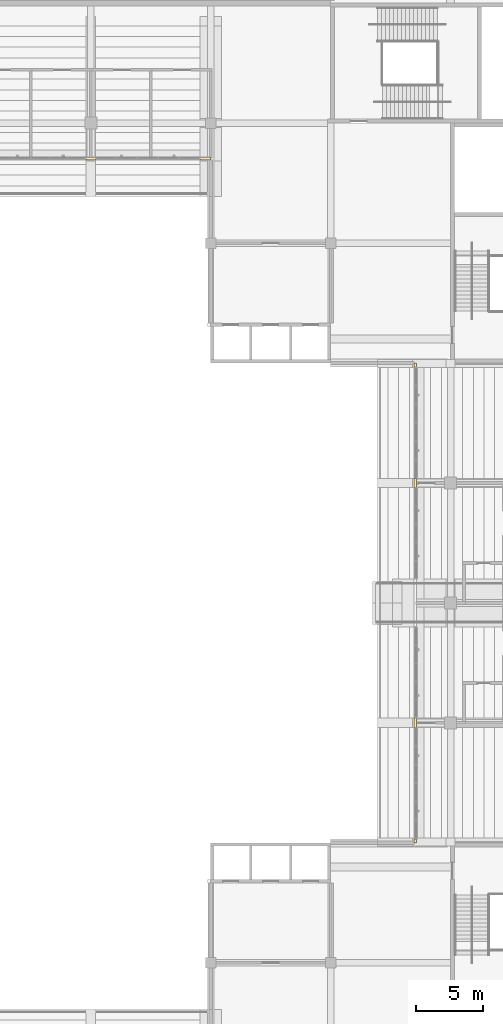
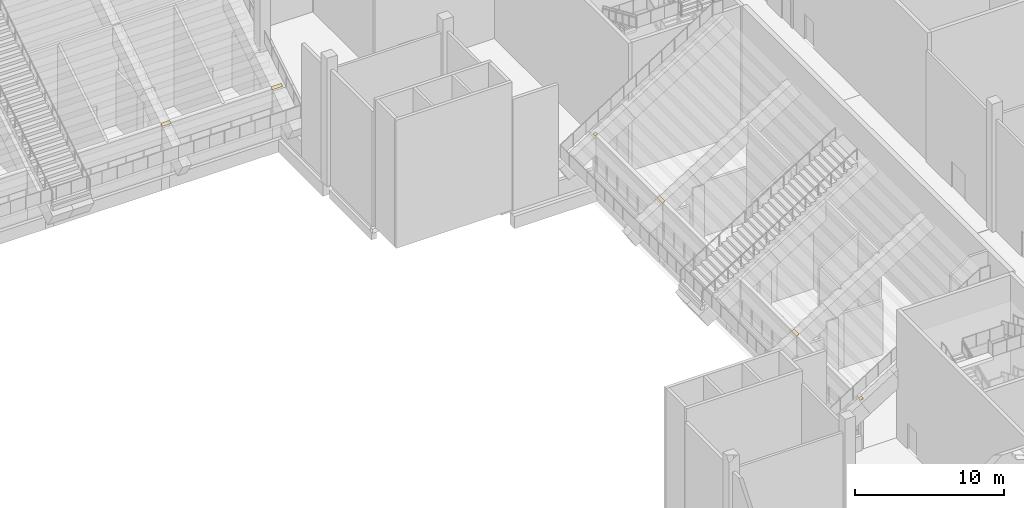
# One storey, part 182 of 182: 6 coverings.
"""IFC4 building model written with IfcOpenShell, lengths in metres."""

from ifc_helpers import new_model, si_unit, direction, frame, origin, place, context, subcontext, project, spatial, faceted_brep, material, layer, layer_set, type_object, element, save


model = new_model("IFC4")

# Units and contexts
model_context = context("Model", 3, precision=1e-05, world=origin(), true_north=direction((0.0, 1.0)))
body_context = subcontext(model_context, "Body", "Model", "MODEL_VIEW")
ifc_project = project(units=[si_unit("LENGTHUNIT", "METRE"), si_unit("AREAUNIT", "SQUARE_METRE"), si_unit("VOLUMEUNIT", "CUBIC_METRE"), si_unit("PLANEANGLEUNIT", "RADIAN"), si_unit("MASSUNIT", "GRAM", prefix="KILO")], contexts=[model_context])

# Site, building, storey
site_placement = place(None, origin())
site = spatial("IfcSite", under=ifc_project, at=site_placement, CompositionType="ELEMENT")
building_placement = place(site_placement, origin())
building = spatial("IfcBuilding", under=site, at=building_placement, Name="Silverbay Arena", CompositionType="ELEMENT")
storey_placement = place(building_placement, frame((0.0, 0.0, 11.5)))
storey = spatial("IfcBuildingStorey", under=building, at=storey_placement, Name="L02", CompositionType="ELEMENT", Elevation=11.5)

# Coverings
ifc_material = material(Name="Mineral wool fire-stop packing")
ifc_layer = layer(ifc_material, 0.199951171875)
ifc_layer_set = layer_set([ifc_layer], Name="Mineral wool fire-stop packing")
covering_type = type_object("IfcCoveringType", Name="Fire-stop packing", PredefinedType="CLADDING", material=ifc_layer_set)
covering_1_placement = place(storey_placement, origin())
element("IfcCovering", 1, at=covering_1_placement, inside=storey, type_object=covering_type, Name="Suite front fire-stop packing", PredefinedType="CLADDING", context=body_context, shape_type="Brep", body=[
    faceted_brep([(177.25, 63.0, 4.033935546875), (177.25, 63.300048828125, 4.033935546875), (177.449951171875, 63.300048828125, 4.033935546875), (177.449951171875, 63.0, 4.033935546875), (177.449951171875, 63.0, 4.1640625), (177.449951171875, 63.300048828125, 4.1640625), (177.25, 63.300048828125, 4.0390625), (177.25, 63.0, 4.0390625)], [[[0, 1, 2, 3]], [[4, 5, 6, 7]], [[3, 2, 5, 4]], [[2, 1, 6, 5]], [[1, 0, 7, 6]], [[0, 3, 4, 7]]]),
])
covering_2_placement = place(storey_placement, origin())
element("IfcCovering", 2, at=covering_2_placement, inside=storey, type_object=covering_type, Name="Suite front fire-stop packing", PredefinedType="CLADDING", context=body_context, shape_type="Brep", body=[
    faceted_brep([(177.25, 71.64990234375, 4.033935546875), (177.25, 72.35009765625, 4.033935546875), (177.449951171875, 72.35009765625, 4.033935546875), (177.449951171875, 71.64990234375, 4.033935546875), (177.449951171875, 71.64990234375, 4.1640625), (177.449951171875, 72.35009765625, 4.1640625), (177.25, 72.35009765625, 4.0390625), (177.25, 71.64990234375, 4.0390625)], [[[0, 1, 2, 3]], [[4, 5, 6, 7]], [[3, 2, 5, 4]], [[2, 1, 6, 5]], [[1, 0, 7, 6]], [[0, 3, 4, 7]]]),
])
covering_3_placement = place(storey_placement, origin())
element("IfcCovering", 3, at=covering_3_placement, inside=storey, type_object=covering_type, Name="Suite front fire-stop packing", PredefinedType="CLADDING", context=body_context, shape_type="Brep", body=[
    faceted_brep([(177.25, 89.64990234375, 4.033935546875), (177.25, 90.35009765625, 4.033935546875), (177.449951171875, 90.35009765625, 4.033935546875), (177.449951171875, 89.64990234375, 4.033935546875), (177.449951171875, 89.64990234375, 4.1640625), (177.449951171875, 90.35009765625, 4.1640625), (177.25, 90.35009765625, 4.0390625), (177.25, 89.64990234375, 4.0390625)], [[[0, 1, 2, 3]], [[4, 5, 6, 7]], [[3, 2, 5, 4]], [[2, 1, 6, 5]], [[1, 0, 7, 6]], [[0, 3, 4, 7]]]),
])
covering_4_placement = place(storey_placement, origin())
element("IfcCovering", 4, at=covering_4_placement, inside=storey, type_object=covering_type, Name="Suite front fire-stop packing", PredefinedType="CLADDING", context=body_context, shape_type="Brep", body=[
    faceted_brep([(177.25, 98.699951171875, 4.033935546875), (177.25, 99.0, 4.033935546875), (177.449951171875, 99.0, 4.033935546875), (177.449951171875, 98.699951171875, 4.033935546875), (177.449951171875, 98.699951171875, 4.1640625), (177.449951171875, 99.0, 4.1640625), (177.25, 99.0, 4.0390625), (177.25, 98.699951171875, 4.0390625)], [[[0, 1, 2, 3]], [[4, 5, 6, 7]], [[3, 2, 5, 4]], [[2, 1, 6, 5]], [[1, 0, 7, 6]], [[0, 3, 4, 7]]]),
])
covering_5_placement = place(storey_placement, origin())
element("IfcCovering", 5, at=covering_5_placement, inside=storey, type_object=covering_type, Name="Suite front fire-stop packing", PredefinedType="CLADDING", context=body_context, shape_type="Brep", body=[
    faceted_brep([(152.64990234375, 114.449951171875, 4.033935546875), (153.35009765625, 114.449951171875, 4.033935546875), (153.35009765625, 114.25, 4.033935546875), (152.64990234375, 114.25, 4.033935546875), (152.64990234375, 114.25, 4.0390625), (153.35009765625, 114.25, 4.0390625), (153.35009765625, 114.449951171875, 4.1640625), (152.64990234375, 114.449951171875, 4.1640625)], [[[0, 1, 2, 3]], [[4, 5, 6, 7]], [[3, 2, 5, 4]], [[2, 1, 6, 5]], [[1, 0, 7, 6]], [[0, 3, 4, 7]]]),
])
covering_6_placement = place(storey_placement, origin())
element("IfcCovering", 6, at=covering_6_placement, inside=storey, type_object=covering_type, Name="Suite front fire-stop packing", PredefinedType="CLADDING", context=body_context, shape_type="Brep", body=[
    faceted_brep([(161.199951171875, 114.449951171875, 4.033935546875), (162.0, 114.449951171875, 4.033935546875), (162.0, 114.25, 4.033935546875), (161.199951171875, 114.25, 4.033935546875), (161.199951171875, 114.25, 4.0390625), (162.0, 114.25, 4.0390625), (162.0, 114.449951171875, 4.1640625), (161.199951171875, 114.449951171875, 4.1640625)], [[[0, 1, 2, 3]], [[4, 5, 6, 7]], [[3, 2, 5, 4]], [[2, 1, 6, 5]], [[1, 0, 7, 6]], [[0, 3, 4, 7]]]),
])

save(model, "model.ifc")
